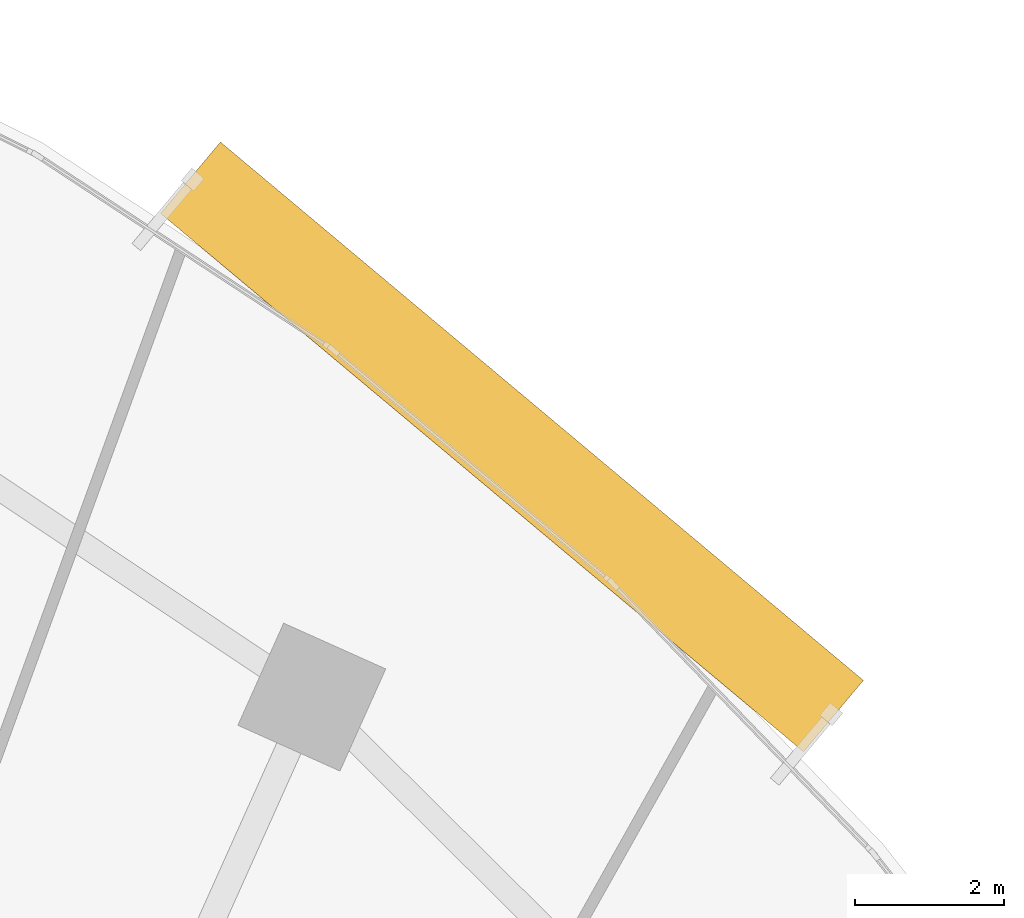
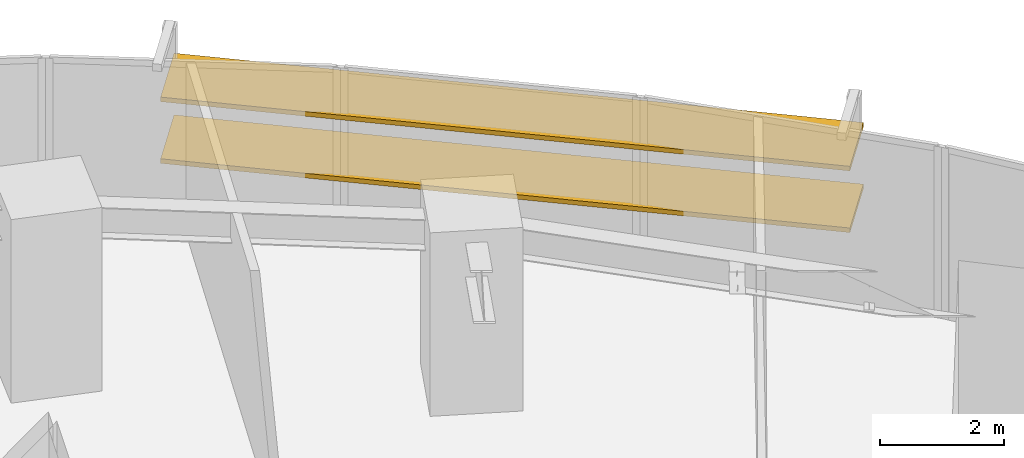
# One storey, part 17 of 17: 2 shading devices.
"""IFC4 building model written with IfcOpenShell, lengths in metres."""

from ifc_helpers import new_model, si_unit, direction, frame, origin, origin_2d, place, context, subcontext, project, spatial, rectangle, extrude, source, transform, mapped, material, material_profile, profile_set, type_object, element, save


model = new_model("IFC4")

# Units and contexts
model_context = context("Model", 3, precision=1e-05, world=origin(), true_north=direction((0.0, 1.0)))
body_context = subcontext(model_context, "Body", "Model", "MODEL_VIEW")
ifc_project = project(units=[si_unit("LENGTHUNIT", "METRE"), si_unit("AREAUNIT", "SQUARE_METRE"), si_unit("VOLUMEUNIT", "CUBIC_METRE"), si_unit("PLANEANGLEUNIT", "RADIAN"), si_unit("MASSUNIT", "GRAM", prefix="KILO")], contexts=[model_context])

# Site, building, storey
site_placement = place(None, origin())
site = spatial("IfcSite", under=ifc_project, at=site_placement, CompositionType="ELEMENT")
building_placement = place(site_placement, origin())
building = spatial("IfcBuilding", under=site, at=building_placement, Name="Breltana Convention Tower", CompositionType="ELEMENT")
storey_placement = place(building_placement, frame((0.0, 0.0, 49.800048828125)))
storey = spatial("IfcBuildingStorey", under=building, at=storey_placement, Name="L10", CompositionType="ELEMENT", Elevation=49.800048828125)

# Shading devices
ifc_material = material(Name="Limestone Warm Buff Honed", Category="masonry")
ifc_material_profile = material_profile(ifc_material, rectangle(XDim=1.25, YDim=0.090087890625, at=origin_2d()), Name="STN-LVR-1250X90")
ifc_profile_set = profile_set([ifc_material_profile], Name="Limestone Warm Buff Honed")
shading_device_type = type_object("IfcShadingDeviceType", Name="SHD-OUTER-SKIN-LIMESTONE-1250", PredefinedType="JALOUSIE", material=ifc_profile_set)
shared_shape = source(origin(), body_context, "Body", "SweptSolid", [
    extrude(rectangle(XDim=1.25, YDim=0.090087890625, at=origin_2d()), origin(), (0.0, 0.0, 1.0), 11.246337890625),
])
for number, where, z_axis, x_axis, name in (
    (1, (67.28369140625, 75.598388671875, 1.20947265625), (0.766719155588, -0.641982660556, 0.0), (0.641982660556, 0.766719155588, 0.0), "L10 outer skin warm limestone louvre 2.1"),
    (2, (67.28369140625, 75.598388671875, 2.419189453125), (0.766719155588, -0.641982660556, 0.0), (0.641982660556, 0.766719155588, 0.0), "L10 outer skin warm limestone louvre 2.2"),
):
    element("IfcShadingDevice", number, at=place(storey_placement, frame(where, z_axis=z_axis, x_axis=x_axis)), inside=storey, type_object=shading_device_type, Name=name, PredefinedType="JALOUSIE", context=body_context, shape_type="MappedRepresentation", body=[
        mapped(shared_shape, transform((0.0, 0.0, 0.0), scale=1.0)),
    ])

save(model, "model.ifc")
